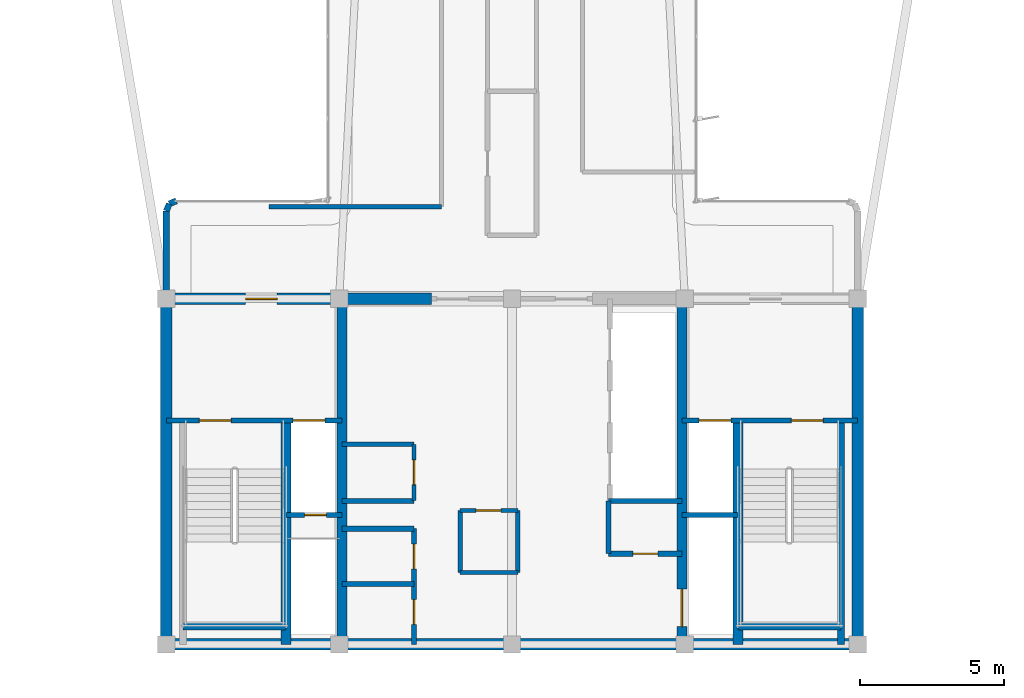
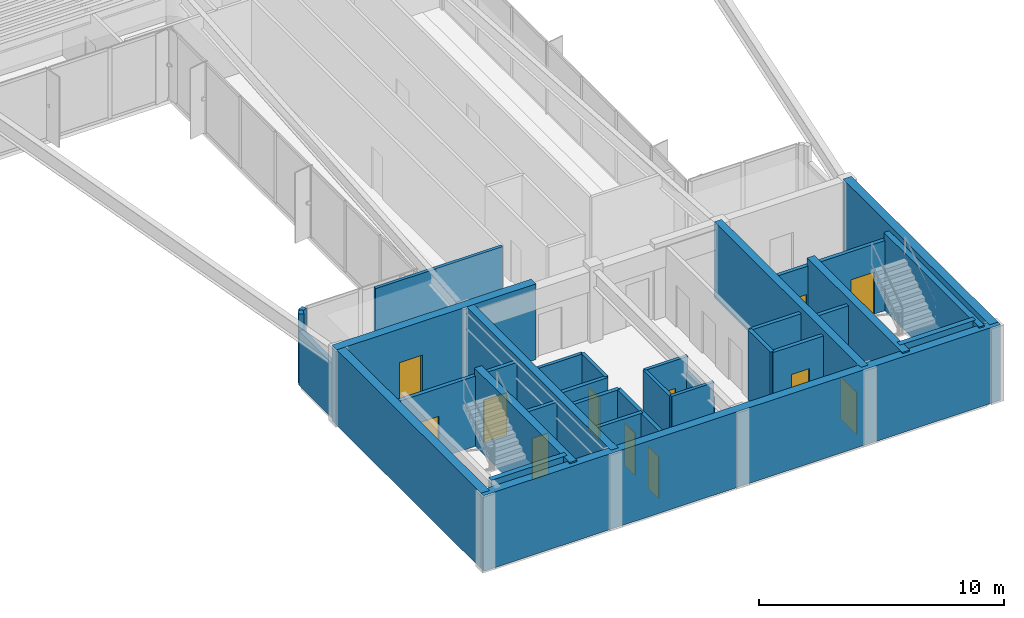
# One storey, part 10 of 15: 32 walls, 12 doors, 12 openings.
"""IFC4 building model written with IfcOpenShell, lengths in metres."""

import ifcopenshell
import ifcopenshell.guid

model = None  # the IFC model being written
_history = None  # IfcOwnerHistory: only IFC2X3 demands one
_inside = {}  # id of a spatial element -> (the spatial element, [elements in it])
_under = {}  # id of a project, library or spatial element -> (it, [spatial elements below it])
_declared = {}  # id of a project -> (the project, [libraries it declares])
_typed = {}  # id of a type object -> (the type object, [elements of that type])
_made_of = {}  # id of a material, layer set ... -> (it, [elements and type objects made of it])


def new_model(schema):
    """Start an empty IFC model of exactly this schema.

    Asked for "IFC4X3", IfcOpenShell would pick the latest addendum, in which some entities
    have other attributes; the version numbers below select the first issue.
    IFC2X3 requires an IfcOwnerHistory on every rooted entity: one is made here for all.
    """
    global model, _history
    if schema == "IFC4X3":
        model = ifcopenshell.file(schema_version=(4, 3, 0, 0))
    else:
        model = ifcopenshell.file(schema=schema)
    _inside.clear()
    _under.clear()
    _declared.clear()
    _typed.clear()
    _made_of.clear()
    _history = None
    if model.schema == "IFC2X3":
        org = make("IfcOrganization", Name="unknown")
        user = make(
            "IfcPersonAndOrganization",
            ThePerson=make("IfcPerson", FamilyName="unknown"),
            TheOrganization=org,
        )
        app = make(
            "IfcApplication",
            ApplicationDeveloper=org,
            Version="unknown",
            ApplicationFullName="unknown",
            ApplicationIdentifier="unknown",
        )
        _history = make(
            "IfcOwnerHistory",
            OwningUser=user,
            OwningApplication=app,
            ChangeAction="ADDED",
            CreationDate=0,
        )
    return model


def make(cls, **values):
    """One entity of the class cls with the attributes given. An attribute that is None is left unset."""
    return model.create_entity(
        cls, **{name: value for name, value in values.items() if value is not None}
    )


def rooted(cls, **values):
    """An entity with a GlobalId (a new one), such as an element, a storey or a relation."""
    return make(cls, GlobalId=ifcopenshell.guid.new(), OwnerHistory=_history, **values)


def si_unit(unit_type, name, prefix=None):
    """IfcSIUnit, for example si_unit("LENGTHUNIT", "METRE", prefix="MILLI")."""
    return make("IfcSIUnit", UnitType=unit_type, Prefix=prefix, Name=name)


def assignment(units):
    """IfcUnitAssignment: the units of a project."""
    return None if units is None else make("IfcUnitAssignment", Units=units)


def point(xyz):
    """IfcCartesianPoint."""
    return None if xyz is None else make("IfcCartesianPoint", Coordinates=xyz)


def direction(xyz):
    """IfcDirection."""
    return None if xyz is None else make("IfcDirection", DirectionRatios=xyz)


def frame(location, z_axis=None, x_axis=None):
    """IfcAxis2Placement3D, a coordinate frame: its origin and axes. An axis left out is left unset."""
    return make(
        "IfcAxis2Placement3D",
        Location=point(location),
        Axis=direction(z_axis),
        RefDirection=direction(x_axis),
    )


def frame_2d(location, x_axis=None):
    """IfcAxis2Placement2D, a coordinate frame in the plane: its origin and x axis."""
    return make(
        "IfcAxis2Placement2D", Location=point(location), RefDirection=direction(x_axis)
    )


def origin():
    """The frame at (0, 0, 0) with its axes left unset."""
    return frame((0.0, 0.0, 0.0))


def origin_2d():
    """The frame at (0, 0) in the plane with its x axis left unset."""
    return frame_2d((0.0, 0.0))


def place(relative_to, where):
    """IfcLocalPlacement: puts the frame where relative to a parent placement (None: the world)."""
    return make(
        "IfcLocalPlacement", PlacementRelTo=relative_to, RelativePlacement=where
    )


def context(
    kind, dimensions, precision=None, world=None, true_north=None, identifier=None
):
    """IfcGeometricRepresentationContext, for example the 3D "Model" context."""
    return make(
        "IfcGeometricRepresentationContext",
        ContextIdentifier=identifier,
        ContextType=kind,
        CoordinateSpaceDimension=dimensions,
        Precision=precision,
        WorldCoordinateSystem=world,
        TrueNorth=true_north,
    )


def subcontext(parent, identifier, kind, view, scale=None):
    """IfcGeometricRepresentationSubContext, for example "Body" below "Model"."""
    return make(
        "IfcGeometricRepresentationSubContext",
        ContextIdentifier=identifier,
        ContextType=kind,
        ParentContext=parent,
        TargetScale=scale,
        TargetView=view,
    )


def project(units=None, contexts=None):
    """IfcProject with its units and contexts."""
    return rooted(
        "IfcProject",
        Name="project",
        RepresentationContexts=contexts,
        UnitsInContext=assignment(units),
    )


def spatial(cls, under=None, at=None, **own):
    """A site, building, storey or space (cls), placed at a placement, below another one or the project."""
    s = rooted(cls, ObjectPlacement=at, **own)
    if under is not None:
        _under.setdefault(under.id(), (under, []))[1].append(s)
    return s


def profile(cls, at=None, kind="AREA", **sizes):
    """A parametric profile (cls). Its sizes go by their IFC names, for example OverallWidth=200.0."""
    return make(cls, ProfileType=kind, Position=at, **sizes)


def rectangle(**sizes):
    """IfcRectangleProfileDef."""
    return profile("IfcRectangleProfileDef", **sizes)


def extrude(swept, where, along, depth):
    """IfcExtrudedAreaSolid: the profile swept, set in the frame where, extruded along a direction by depth."""
    return make(
        "IfcExtrudedAreaSolid",
        SweptArea=swept,
        Position=where,
        ExtrudedDirection=direction(along),
        Depth=depth,
    )


def shape(context_of_items, identifier, shape_type, items):
    """IfcShapeRepresentation: the items that make up one representation, for example the "Body"."""
    return make(
        "IfcShapeRepresentation",
        ContextOfItems=context_of_items,
        RepresentationIdentifier=identifier,
        RepresentationType=shape_type,
        Items=items,
    )


def source(mapping_origin, context_of_items, identifier, shape_type, items):
    """IfcRepresentationMap: a shape defined once, which mapped items show again and again."""
    return make(
        "IfcRepresentationMap",
        MappingOrigin=mapping_origin,
        MappedRepresentation=shape(context_of_items, identifier, shape_type, items),
    )


def transform(
    local_origin,
    x_axis=None,
    y_axis=None,
    z_axis=None,
    scale=None,
    scale2=None,
    scale3=None,
    uniform=True,
):
    """IfcCartesianTransformationOperator3D, or its non-uniform kind. x_axis, y_axis, z_axis: its Axis1, 2, 3."""
    if uniform:
        return make(
            "IfcCartesianTransformationOperator3D",
            Axis1=direction(x_axis),
            Axis2=direction(y_axis),
            LocalOrigin=point(local_origin),
            Scale=scale,
            Axis3=direction(z_axis),
        )
    return make(
        "IfcCartesianTransformationOperator3DnonUniform",
        Axis1=direction(x_axis),
        Axis2=direction(y_axis),
        LocalOrigin=point(local_origin),
        Scale=scale,
        Axis3=direction(z_axis),
        Scale2=scale2,
        Scale3=scale3,
    )


def mapped(mapping_source, mapping_target):
    """IfcMappedItem: shows the shape of a source again, moved by a transform."""
    return make(
        "IfcMappedItem", MappingSource=mapping_source, MappingTarget=mapping_target
    )


def material(Name=None, Category=None):
    """IfcMaterial."""
    return make("IfcMaterial", Name=Name, Category=Category)


def layer(
    of_material, thickness, ventilated=None, Name=None, Category=None, Priority=None
):
    """IfcMaterialLayer: one layer of a wall or slab, of a material (None: an air gap)."""
    return make(
        "IfcMaterialLayer",
        Material=of_material,
        LayerThickness=thickness,
        IsVentilated=ventilated,
        Name=Name,
        Category=Category,
        Priority=Priority,
    )


def layer_set(layers, Name=None):
    """IfcMaterialLayerSet."""
    return make("IfcMaterialLayerSet", MaterialLayers=layers, LayerSetName=Name)


def made_of(thing, what):
    """Note that an element or type object is made of a material, layer set ...; save() writes the relation."""
    if what is not None:
        _made_of.setdefault(what.id(), (what, []))[1].append(thing)
    return thing


def type_object(cls, material=None, **own):
    """A type object (cls), such as IfcWallType, which elements share."""
    return made_of(rooted(cls, **own), material)


def element(
    cls,
    number,
    at=None,
    inside=None,
    cuts=None,
    type_object=None,
    material=None,
    context=None,
    identifier="Body",
    shape_type=None,
    held_by="IfcProductDefinitionShape",
    body=None,
    shapes=None,
    **own,
):
    """One element of the class cls, such as IfcWall. Its Tag is "e" and its number.

    at: its placement. inside: the storey or other place that contains it. cuts: it is an
    opening in that element (IfcRelVoidsElement). A single representation is given by context,
    identifier, shape_type and body (its items); several are given by shapes. held_by: the class
    of the entity that holds the representations. save() writes the other relations.
    """
    e = rooted(cls, Tag="e%d" % number, ObjectPlacement=at, **own)
    if body is not None:
        shapes = [shape(context, identifier, shape_type, body)]
    if shapes is not None:
        e.Representation = make(held_by, Representations=shapes)
    if inside is not None:
        _inside.setdefault(inside.id(), (inside, []))[1].append(e)
    if cuts is not None:
        rooted(
            "IfcRelVoidsElement", RelatingBuildingElement=cuts, RelatedOpeningElement=e
        )
    if type_object is not None:
        _typed.setdefault(type_object.id(), (type_object, []))[1].append(e)
    return made_of(e, material)


def fill(opening, filler):
    """IfcRelFillsElement: the door or window that sits in an opening."""
    return rooted(
        "IfcRelFillsElement",
        RelatingOpeningElement=opening,
        RelatedBuildingElement=filler,
    )


def aggregate(whole, parts):
    """IfcRelAggregates: a whole, such as a stair, and the parts it consists of."""
    return rooted("IfcRelAggregates", RelatingObject=whole, RelatedObjects=parts)


def save(model, path):
    """Write the relations noted so far, then the file.

    IfcRelAggregates (storeys below a building ...), IfcRelContainedInSpatialStructure (elements
    in a storey), IfcRelDefinesByType, IfcRelAssociatesMaterial and IfcRelDeclares: one each for
    every whole, place, type object, material and project.
    """
    for whole, parts in _under.values():
        aggregate(whole, parts)
    for where, things in _inside.values():
        rooted(
            "IfcRelContainedInSpatialStructure",
            RelatedElements=things,
            RelatingStructure=where,
        )
    for kind, things in _typed.values():
        rooted("IfcRelDefinesByType", RelatedObjects=things, RelatingType=kind)
    for what, things in _made_of.values():
        rooted("IfcRelAssociatesMaterial", RelatedObjects=things, RelatingMaterial=what)
    for by, libraries in _declared.values():
        rooted("IfcRelDeclares", RelatingContext=by, RelatedDefinitions=libraries)
    model.write(path)


model = new_model("IFC4")

# Units and contexts
model_context = context("Model", 3, precision=1e-05, world=origin(), true_north=direction((0.0, 1.0)))
body_context = subcontext(model_context, "Body", "Model", "MODEL_VIEW")
ifc_project = project(units=[si_unit("LENGTHUNIT", "METRE"), si_unit("AREAUNIT", "SQUARE_METRE"), si_unit("VOLUMEUNIT", "CUBIC_METRE"), si_unit("PLANEANGLEUNIT", "RADIAN"), si_unit("MASSUNIT", "GRAM", prefix="KILO")], contexts=[model_context])

# Site, building, storey
site_placement = place(None, origin())
site = spatial("IfcSite", under=ifc_project, at=site_placement, CompositionType="ELEMENT")
building_placement = place(site_placement, origin())
building = spatial("IfcBuilding", under=site, at=building_placement, Name="Brelvock Crest Care Tower", CompositionType="ELEMENT")
storey_placement = place(building_placement, frame((0.0, 0.0, 268.3798828125)))
storey = spatial("IfcBuildingStorey", under=building, at=storey_placement, Name="L68", CompositionType="ELEMENT", Elevation=268.3798828125)

# Walls
ifc_material_1 = material(Name="Concrete S65 (65 MPa)", Category="concrete")
ifc_layer_1 = layer(ifc_material_1, 0.39990234375, Name="WL-CS4")
ifc_layer_set_1 = layer_set([ifc_layer_1], Name="Concrete S65 (65 MPa)")
wall_type_1 = type_object("IfcWallType", Name="WL-CS4", PredefinedType="SHEAR", material=ifc_layer_set_1)
wall_1_placement = place(storey_placement, frame((48.199951171875, 6.0, 0.0), z_axis=(0.0, 0.0, 1.0), x_axis=(-1.0, 0.0, 0.0)))
element("IfcWall", 1, at=wall_1_placement, inside=storey, type_object=wall_type_1, Name="L68 Core South Shear Wall", PredefinedType="SHEAR", context=body_context, shape_type="SweptSolid", body=[
    extrude(rectangle(XDim=24.39990234375, YDim=0.39990234375, at=frame_2d((12.199951171875, 0.0))), origin(), (0.0, 0.0, 1.0), 3.780029296875),
])
for number, where, z_axis, x_axis, name in (
    (2, (24.0, 6.0, 0.0), (0.0, 0.0, 1.0), (0.0, 1.0, 0.0), "L68 Core West Shear Wall"),
    (3, (48.0, 18.0, 0.0), (0.0, 0.0, 1.0), (0.0, -1.0, 0.0), "L68 Core East Shear Wall"),
):
    element("IfcWall", number, at=place(storey_placement, frame(where, z_axis=z_axis, x_axis=x_axis)), inside=storey, type_object=wall_type_1, Name=name, PredefinedType="SHEAR", context=body_context, shape_type="SweptSolid", body=[
        extrude(rectangle(XDim=12.0, YDim=0.39990234375, at=frame_2d((6.0, 0.0))), origin(), (0.0, 0.0, 1.0), 3.780029296875),
    ])

# Wall, opening, door
wall_2_placement = place(storey_placement, frame((23.800048828125, 18.0, 0.0), z_axis=(0.0, 0.0, 1.0), x_axis=(1.0, 0.0, 0.0)))
wall_2 = element("IfcWall", 4, at=wall_2_placement, inside=storey, type_object=wall_type_1, Name="L68 Core North-West Shear Wall", PredefinedType="SHEAR", context=body_context, shape_type="SweptSolid", body=[
    extrude(rectangle(XDim=9.39990234375, YDim=0.39990234375, at=frame_2d((4.699951171875, 0.0))), origin(), (0.0, 0.0, 1.0), 3.780029296875),
])
opening_1_placement = place(wall_2_placement, frame((2.949951171875, 0.0, 0.0)))
opening_1 = element("IfcOpeningElement", 5, at=opening_1_placement, cuts=wall_2, Name="Opening FD-1", PredefinedType="OPENING", context=body_context, shape_type="SweptSolid", body=[
    extrude(rectangle(XDim=1.10009765625, YDim=2.10009765625, at=origin_2d()), frame((0.550048828125, 0.2099609375, 1.050048828125), z_axis=(0.0, -1.0, 0.0), x_axis=(1.0, 0.0, 0.0)), (0.0, 0.0, 1.0), 0.419921875),
])
ifc_material_2 = material(Name="Steel Grade 350", Category="steel")
door_type_1 = type_object("IfcDoorType", Name="DR-FFL1", OperationType="NOTDEFINED", PredefinedType="DOOR", material=ifc_material_2)
shared_shape_1 = source(origin(), body_context, "Body", "SweptSolid", [
    extrude(rectangle(XDim=1.10009765625, YDim=2.10009765625, at=origin_2d()), frame((0.550048828125, 0.02490234375, 1.050048828125), z_axis=(0.0, -1.0, 0.0), x_axis=(1.0, 0.0, 0.0)), (0.0, 0.0, 1.0), 0.050048828125),
])
door_1_placement = place(opening_1_placement, origin())
door_1 = element("IfcDoor", 6, at=door_1_placement, inside=storey, type_object=door_type_1, Name="L68 Firefighting Lobby FFL-1 Exit Door", OperationType="SINGLE_SWING_LEFT", OverallHeight=2.10009765625, OverallWidth=1.10009765625, PredefinedType="DOOR", context=body_context, shape_type="MappedRepresentation", body=[
    mapped(shared_shape_1, transform((0.0, 0.0, 0.0), x_axis=(1.0, 0.0, 0.0), y_axis=(0.0, 1.0, 0.0), z_axis=(0.0, 0.0, 1.0), scale=1.0)),
])
fill(opening_1, door_1)

# Wall
ifc_material_3 = material(Name="Concrete S80 (80 MPa)", Category="concrete")
ifc_layer_2 = layer(ifc_material_3, 0.35009765625, Name="WL-CS5")
ifc_layer_set_2 = layer_set([ifc_layer_2], Name="Concrete S80 (80 MPa)")
wall_type_2 = type_object("IfcWallType", Name="WL-CS5", PredefinedType="SHEAR", material=ifc_layer_set_2)
wall_3_placement = place(storey_placement, frame((30.10009765625, 6.0, 0.0), z_axis=(0.0, 0.0, 1.0), x_axis=(0.0, 1.0, 0.0)))
element("IfcWall", 7, at=wall_3_placement, inside=storey, type_object=wall_type_2, Name="L68 Core Internal Web Wall West", PredefinedType="SHEAR", context=body_context, shape_type="SweptSolid", body=[
    extrude(rectangle(XDim=12.0, YDim=0.35009765625, at=frame_2d((6.0, 0.0))), origin(), (0.0, 0.0, 1.0), 3.780029296875),
])

# Wall, opening, door
wall_4_placement = place(storey_placement, frame((41.89990234375, 18.0, 0.0), z_axis=(0.0, 0.0, 1.0), x_axis=(0.0, -1.0, 0.0)))
wall_4 = element("IfcWall", 8, at=wall_4_placement, inside=storey, type_object=wall_type_2, Name="L68 Core Internal Web Wall East", PredefinedType="SHEAR", context=body_context, shape_type="SweptSolid", body=[
    extrude(rectangle(XDim=12.0, YDim=0.35009765625, at=frame_2d((6.0, 0.0))), origin(), (0.0, 0.0, 1.0), 3.780029296875),
])
opening_2_placement = place(wall_4_placement, frame((10.080078125, 0.0, 0.0)))
opening_2 = element("IfcOpeningElement", 9, at=opening_2_placement, cuts=wall_4, Name="Opening LD-S", PredefinedType="OPENING", context=body_context, shape_type="SweptSolid", body=[
    extrude(rectangle(XDim=1.300048828125, YDim=2.10009765625, at=origin_2d()), frame((0.64990234375, 0.18505859375, 1.050048828125), z_axis=(0.0, -1.0, 0.0), x_axis=(1.0, 0.0, 0.0)), (0.0, 0.0, 1.0), 0.3701171875),
])
door_type_2 = type_object("IfcDoorType", Name="DR-LDS1", OperationType="NOTDEFINED", PredefinedType="DOOR", material=ifc_material_2)
shared_shape_2 = source(origin(), body_context, "Body", "SweptSolid", [
    extrude(rectangle(XDim=1.300048828125, YDim=2.10009765625, at=origin_2d()), frame((0.64990234375, 0.02490234375, 1.050048828125), z_axis=(0.0, -1.0, 0.0), x_axis=(1.0, 0.0, 0.0)), (0.0, 0.0, 1.0), 0.050048828125),
])
door_2_placement = place(opening_2_placement, origin())
door_2 = element("IfcDoor", 10, at=door_2_placement, inside=storey, type_object=door_type_2, Name="L68 Clinical Bed Lift SL-1 Landing Door", OperationType="SLIDING_TO_LEFT", OverallHeight=2.10009765625, OverallWidth=1.300048828125, PredefinedType="DOOR", context=body_context, shape_type="MappedRepresentation", body=[
    mapped(shared_shape_2, transform((0.0, 0.0, 0.0), x_axis=(1.0, 0.0, 0.0), y_axis=(0.0, 1.0, 0.0), z_axis=(0.0, 0.0, 1.0), scale=1.0)),
])
fill(opening_2, door_2)

# Walls
for number, where, z_axis, x_axis, name in (
    (11, (28.14990234375, 6.0, 0.0), (0.0, 0.0, 1.0), (0.0, 1.0, 0.0), "L68 Core Stair ST-1 East Shear Wall"),
    (12, (43.85009765625, 6.0, 0.0), (0.0, 0.0, 1.0), (0.0, 1.0, 0.0), "L68 Core Stair ST-2 West Shear Wall"),
):
    element("IfcWall", number, at=place(storey_placement, frame(where, z_axis=z_axis, x_axis=x_axis)), inside=storey, type_object=wall_type_2, Name=name, PredefinedType="SHEAR", context=body_context, shape_type="SweptSolid", body=[
        extrude(rectangle(XDim=7.780029296875, YDim=0.35009765625, at=frame_2d((3.89013671875, 0.0))), origin(), (0.0, 0.0, 1.0), 3.85009765625),
    ])
ifc_layer_3 = layer(ifc_material_3, 0.25, Name="WL-CS6")
ifc_layer_set_3 = layer_set([ifc_layer_3], Name="Concrete S80 (80 MPa)")
wall_type_3 = type_object("IfcWallType", Name="WL-CS6", PredefinedType="SHEAR", material=ifc_layer_set_3)
wall_5_placement = place(storey_placement, frame((24.580078125, 6.6201171875, 0.0), z_axis=(0.0, 0.0, 1.0), x_axis=(1.0, 0.0, 0.0)))
element("IfcWall", 13, at=wall_5_placement, inside=storey, type_object=wall_type_3, Name="L68 Core Stair ST-1 South Shear Wall", PredefinedType="SHEAR", context=body_context, shape_type="SweptSolid", body=[
    extrude(rectangle(XDim=3.56982421875, YDim=0.25, at=frame_2d((1.784912109375, 0.0))), origin(), (0.0, 0.0, 1.0), 3.85009765625),
])
wall_6_placement = place(storey_placement, frame((47.419921875, 6.0, 0.0), z_axis=(0.0, 0.0, 1.0), x_axis=(0.0, 1.0, 0.0)))
element("IfcWall", 14, at=wall_6_placement, inside=storey, type_object=wall_type_3, Name="L68 Core Stair ST-2 East Shear Wall", PredefinedType="SHEAR", context=body_context, shape_type="SweptSolid", body=[
    extrude(rectangle(XDim=7.780029296875, YDim=0.25, at=frame_2d((3.89013671875, 0.0))), origin(), (0.0, 0.0, 1.0), 3.85009765625),
])
wall_7_placement = place(storey_placement, frame((43.85009765625, 6.6201171875, 0.0), z_axis=(0.0, 0.0, 1.0), x_axis=(1.0, 0.0, 0.0)))
element("IfcWall", 15, at=wall_7_placement, inside=storey, type_object=wall_type_3, Name="L68 Core Stair ST-2 South Shear Wall", PredefinedType="SHEAR", context=body_context, shape_type="SweptSolid", body=[
    extrude(rectangle(XDim=3.56982421875, YDim=0.25, at=frame_2d((1.784912109375, 0.0))), origin(), (0.0, 0.0, 1.0), 3.85009765625),
])
ifc_material_4 = material(Name="Precast concrete N40 (40 MPa)", Category="concrete")
ifc_layer_4 = layer(ifc_material_4, 0.215087890625, Name="WL-EX2")
ifc_layer_set_4 = layer_set([ifc_layer_4], Name="Precast concrete N40 (40 MPa)")
wall_type_4 = type_object("IfcWallType", Name="WL-EX2", PredefinedType="SOLIDWALL", material=ifc_layer_set_4)
wall_8_placement = place(storey_placement, frame((24.0, 18.280029296875, 0.0), z_axis=(0.0, 0.0, 1.0), x_axis=(0.0, 1.0, 0.0)))
element("IfcWall", 16, at=wall_8_placement, inside=storey, type_object=wall_type_4, Name="L68 Rounded Corner Wall 07", PredefinedType="SOLIDWALL", context=body_context, shape_type="SweptSolid", body=[
    extrude(rectangle(XDim=2.77001953125, YDim=0.215087890625, at=frame_2d((1.385009765625, 0.0))), origin(), (0.0, 0.0, 1.0), 2.718017578125),
])
wall_9_placement = place(storey_placement, frame((24.0, 21.050048828125, 0.0), z_axis=(0.0, 0.0, 1.0), x_axis=(0.382673670509, 0.923883575944, 0.0)))
element("IfcWall", 17, at=wall_9_placement, inside=storey, type_object=wall_type_4, Name="L68 Rounded Corner Wall 08", PredefinedType="SOLIDWALL", context=body_context, shape_type="SweptSolid", body=[
    extrude(rectangle(XDim=0.26806640625, YDim=0.215087890625, at=frame_2d((0.134033203125, 0.0))), origin(), (0.0, 0.0, 1.0), 3.530029296875),
])
wall_10_placement = place(storey_placement, frame((24.1025390625, 21.297607421875, 0.0), z_axis=(0.0, 0.0, 1.0), x_axis=(0.924205486139, 0.381895560841, 0.0)))
element("IfcWall", 18, at=wall_10_placement, inside=storey, type_object=wall_type_4, Name="L68 Rounded Corner Wall 09", PredefinedType="SOLIDWALL", context=body_context, shape_type="SweptSolid", body=[
    extrude(rectangle(XDim=0.267822265625, YDim=0.215087890625, at=frame_2d((0.1337890625, 0.0))), origin(), (0.0, 0.0, 1.0), 3.530029296875),
])
ifc_material_5 = material(Name="Masonry Blockwork Acoustic Partition", Category="masonry")
ifc_layer_5 = layer(ifc_material_5, 0.14990234375, Name="WL-INT1")
ifc_layer_set_5 = layer_set([ifc_layer_5], Name="Masonry Blockwork Acoustic Partition")
wall_type_5 = type_object("IfcWallType", Name="WL-INT1", PredefinedType="PARTITIONING", material=ifc_layer_set_5)
wall_11_placement = place(storey_placement, frame((30.10009765625, 12.949951171875, 0.0), z_axis=(0.0, 0.0, 1.0), x_axis=(1.0, 0.0, 0.0)))
element("IfcWall", 19, at=wall_11_placement, inside=storey, type_object=wall_type_5, Name="L68 Interior Wall WL-CRCL-N2-L68", PredefinedType="PARTITIONING", context=body_context, shape_type="SweptSolid", body=[
    extrude(rectangle(XDim=2.5, YDim=0.14990234375, at=frame_2d((1.25, 0.0))), origin(), (0.0, 0.0, 1.0), 3.5),
])

# Wall, opening, door
wall_12_placement = place(storey_placement, frame((32.60009765625, 11.0, 0.0), z_axis=(0.0, 0.0, 1.0), x_axis=(0.0, 1.0, 0.0)))
wall_12 = element("IfcWall", 20, at=wall_12_placement, inside=storey, type_object=wall_type_5, Name="L68 Interior Wall WL-CRCL-E-L68", PredefinedType="PARTITIONING", context=body_context, shape_type="SweptSolid", body=[
    extrude(rectangle(XDim=1.949951171875, YDim=0.14990234375, at=frame_2d((0.97509765625, 0.0))), origin(), (0.0, 0.0, 1.0), 3.5),
])
opening_3_placement = place(wall_12_placement, frame((0.550048828125, 0.0, 0.0)))
opening_3 = element("IfcOpeningElement", 21, at=opening_3_placement, cuts=wall_12, Name="Opening ID-1", PredefinedType="OPENING", context=body_context, shape_type="SweptSolid", body=[
    extrude(rectangle(XDim=0.860107421875, YDim=2.10009765625, at=origin_2d()), frame((0.43017578125, 0.0849609375, 1.050048828125), z_axis=(0.0, -1.0, 0.0), x_axis=(1.0, 0.0, 0.0)), (0.0, 0.0, 1.0), 0.169921875),
])
ifc_material_6 = material(Name="Engineered Hardwood Timber", Category="wood")
door_type_3 = type_object("IfcDoorType", Name="DR-INT1", OperationType="NOTDEFINED", PredefinedType="DOOR", material=ifc_material_6)
shared_shape_3 = source(origin(), body_context, "Body", "SweptSolid", [
    extrude(rectangle(XDim=0.860107421875, YDim=2.10009765625, at=origin_2d()), frame((0.43017578125, 0.02490234375, 1.050048828125), z_axis=(0.0, -1.0, 0.0), x_axis=(1.0, 0.0, 0.0)), (0.0, 0.0, 1.0), 0.050048828125),
])
door_3_placement = place(opening_3_placement, origin())
door_3 = element("IfcDoor", 22, at=door_3_placement, inside=storey, type_object=door_type_3, Name="DR-CRCL1-L68", OperationType="SINGLE_SWING_LEFT", OverallHeight=2.10009765625, OverallWidth=0.860107421875, PredefinedType="DOOR", context=body_context, shape_type="MappedRepresentation", body=[
    mapped(shared_shape_3, transform((0.0, 0.0, 0.0), x_axis=(1.0, 0.0, 0.0), y_axis=(0.0, 1.0, 0.0), z_axis=(0.0, 0.0, 1.0), scale=1.0)),
])
fill(opening_3, door_3)

# Walls
wall_13_placement = place(storey_placement, frame((34.199951171875, 8.5, 0.0), z_axis=(0.0, 0.0, 1.0), x_axis=(1.0, 0.0, 0.0)))
element("IfcWall", 23, at=wall_13_placement, inside=storey, type_object=wall_type_5, Name="L68 Interior Wall WL-CRCM-S-L68", PredefinedType="PARTITIONING", context=body_context, shape_type="SweptSolid", body=[
    extrude(rectangle(XDim=2.0, YDim=0.14990234375, at=frame_2d((1.0, 0.0))), origin(), (0.0, 0.0, 1.0), 3.5),
])
wall_14_placement = place(storey_placement, frame((34.199951171875, 8.5, 0.0), z_axis=(0.0, 0.0, 1.0), x_axis=(0.0, 1.0, 0.0)))
element("IfcWall", 24, at=wall_14_placement, inside=storey, type_object=wall_type_5, Name="L68 Interior Wall WL-CRCM-W-L68", PredefinedType="PARTITIONING", context=body_context, shape_type="SweptSolid", body=[
    extrude(rectangle(XDim=2.14990234375, YDim=0.14990234375, at=frame_2d((1.074951171875, 0.0))), origin(), (0.0, 0.0, 1.0), 3.5),
])
wall_15_placement = place(storey_placement, frame((36.199951171875, 8.5, 0.0), z_axis=(0.0, 0.0, 1.0), x_axis=(0.0, 1.0, 0.0)))
element("IfcWall", 25, at=wall_15_placement, inside=storey, type_object=wall_type_5, Name="L68 Interior Wall WL-CRCM-E-L68", PredefinedType="PARTITIONING", context=body_context, shape_type="SweptSolid", body=[
    extrude(rectangle(XDim=2.14990234375, YDim=0.14990234375, at=frame_2d((1.074951171875, 0.0))), origin(), (0.0, 0.0, 1.0), 2.715087890625),
])

# Wall, opening, door
wall_16_placement = place(storey_placement, frame((34.199951171875, 10.64990234375, 0.0), z_axis=(0.0, 0.0, 1.0), x_axis=(1.0, 0.0, 0.0)))
wall_16 = element("IfcWall", 26, at=wall_16_placement, inside=storey, type_object=wall_type_5, Name="L68 Interior Wall WL-CRCM-N-L68", PredefinedType="PARTITIONING", context=body_context, shape_type="SweptSolid", body=[
    extrude(rectangle(XDim=2.0, YDim=0.14990234375, at=frame_2d((1.0, 0.0))), origin(), (0.0, 0.0, 1.0), 3.5),
])
opening_4_placement = place(wall_16_placement, frame((0.550048828125, 0.0, 0.0)))
opening_4 = element("IfcOpeningElement", 27, at=opening_4_placement, cuts=wall_16, Name="Opening ID-1", PredefinedType="OPENING", context=body_context, shape_type="SweptSolid", body=[
    extrude(rectangle(XDim=0.860107421875, YDim=2.10009765625, at=origin_2d()), frame((0.43017578125, 0.0849609375, 1.050048828125), z_axis=(0.0, -1.0, 0.0), x_axis=(1.0, 0.0, 0.0)), (0.0, 0.0, 1.0), 0.169921875),
])
door_4_placement = place(opening_4_placement, origin())
door_4 = element("IfcDoor", 28, at=door_4_placement, inside=storey, type_object=door_type_3, Name="DR-CRCM1-L68", OperationType="SINGLE_SWING_LEFT", OverallHeight=2.10009765625, OverallWidth=0.860107421875, PredefinedType="DOOR", context=body_context, shape_type="MappedRepresentation", body=[
    mapped(shared_shape_3, transform((0.0, 0.0, 0.0), x_axis=(1.0, 0.0, 0.0), y_axis=(0.0, 1.0, 0.0), z_axis=(0.0, 0.0, 1.0), scale=1.0)),
])
fill(opening_4, door_4)

# Walls
wall_17_placement = place(storey_placement, frame((27.5576171875, 21.199951171875, 0.0), z_axis=(0.0, 0.0, 1.0), x_axis=(1.0, 0.0, 0.0)))
element("IfcWall", 29, at=wall_17_placement, inside=storey, type_object=wall_type_5, Name="L68 Interior Wall WL-BX-L68-THRW-S", PredefinedType="PARTITIONING", context=body_context, shape_type="SweptSolid", body=[
    extrude(rectangle(XDim=5.992431640625, YDim=0.14990234375, at=frame_2d((2.99609375, 0.0))), origin(), (0.0, 0.0, 1.0), 3.5),
])
ifc_layer_6 = layer(ifc_material_5, 0.179931640625, Name="WL-SHF1")
ifc_layer_set_6 = layer_set([ifc_layer_6], Name="Masonry Blockwork Acoustic Partition")
wall_type_6 = type_object("IfcWallType", Name="WL-SHF1", PredefinedType="PARTITIONING", material=ifc_layer_set_6)
wall_18_placement = place(storey_placement, frame((30.10009765625, 10.97998046875, 0.0), z_axis=(0.0, 0.0, 1.0), x_axis=(1.0, 0.0, 0.0)))
element("IfcWall", 30, at=wall_18_placement, inside=storey, type_object=wall_type_6, Name="L68 Interior Wall WL-CSBW-N-L68", PredefinedType="PARTITIONING", context=body_context, shape_type="SweptSolid", body=[
    extrude(rectangle(XDim=2.5, YDim=0.179931640625, at=frame_2d((1.25, 0.0))), origin(), (0.0, 0.0, 1.0), 3.5),
])
wall_19_placement = place(storey_placement, frame((39.35009765625, 10.97998046875, 0.0), z_axis=(0.0, 0.0, 1.0), x_axis=(1.0, 0.0, 0.0)))
element("IfcWall", 31, at=wall_19_placement, inside=storey, type_object=wall_type_6, Name="L68 Interior Wall WL-CSBE-N-L68", PredefinedType="PARTITIONING", context=body_context, shape_type="SweptSolid", body=[
    extrude(rectangle(XDim=2.5498046875, YDim=0.179931640625, at=frame_2d((1.27490234375, 0.0))), origin(), (0.0, 0.0, 1.0), 3.5),
])
for number, where, z_axis, x_axis, name in (
    (32, (30.10009765625, 8.10009765625, 0.0), (0.0, 0.0, 1.0), (1.0, 0.0, 0.0), "L68 Interior Wall WL-CSBW-SP-L68"),
    (33, (30.10009765625, 10.02001953125, 0.0), (0.0, 0.0, 1.0), (1.0, 0.0, 0.0), "L68 Interior Wall WL-CSBW-N2-L68"),
):
    element("IfcWall", number, at=place(storey_placement, frame(where, z_axis=z_axis, x_axis=x_axis)), inside=storey, type_object=wall_type_6, Name=name, PredefinedType="PARTITIONING", context=body_context, shape_type="SweptSolid", body=[
        extrude(rectangle(XDim=2.5, YDim=0.179931640625, at=frame_2d((1.25, 0.0))), origin(), (0.0, 0.0, 1.0), 3.5),
    ])

# Wall, openings, doors
wall_20_placement = place(storey_placement, frame((32.60009765625, 6.0, 0.0), z_axis=(0.0, 0.0, 1.0), x_axis=(0.0, 1.0, 0.0)))
wall_20 = element("IfcWall", 34, at=wall_20_placement, inside=storey, type_object=wall_type_6, Name="L68 Interior Wall WL-CSBW-E-L68", PredefinedType="PARTITIONING", context=body_context, shape_type="SweptSolid", body=[
    extrude(rectangle(XDim=4.02001953125, YDim=0.179931640625, at=frame_2d((2.010009765625, 0.0))), origin(), (0.0, 0.0, 1.0), 3.5),
])
opening_5_placement = place(wall_20_placement, frame((0.699951171875, 0.0, 0.0)))
opening_5 = element("IfcOpeningElement", 35, at=opening_5_placement, cuts=wall_20, Name="Opening ID-1", PredefinedType="OPENING", context=body_context, shape_type="SweptSolid", body=[
    extrude(rectangle(XDim=0.860107421875, YDim=2.10009765625, at=origin_2d()), frame((0.43017578125, 0.10009765625, 1.050048828125), z_axis=(0.0, -1.0, 0.0), x_axis=(1.0, 0.0, 0.0)), (0.0, 0.0, 1.0), 0.199951171875),
])
opening_6_placement = place(wall_20_placement, frame((2.6201171875, 0.0, 0.0)))
opening_6 = element("IfcOpeningElement", 36, at=opening_6_placement, cuts=wall_20, Name="Opening ID-1", PredefinedType="OPENING", context=body_context, shape_type="SweptSolid", body=[
    extrude(rectangle(XDim=0.860107421875, YDim=2.10009765625, at=origin_2d()), frame((0.43017578125, 0.10009765625, 1.050048828125), z_axis=(0.0, -1.0, 0.0), x_axis=(1.0, 0.0, 0.0)), (0.0, 0.0, 1.0), 0.199951171875),
])
door_5_placement = place(opening_5_placement, origin())
door_5 = element("IfcDoor", 37, at=door_5_placement, inside=storey, type_object=door_type_3, Name="DR-CSBW1-L68", OperationType="SINGLE_SWING_LEFT", OverallHeight=2.10009765625, OverallWidth=0.860107421875, PredefinedType="DOOR", context=body_context, shape_type="MappedRepresentation", body=[
    mapped(shared_shape_3, transform((0.0, 0.0, 0.0), x_axis=(1.0, 0.0, 0.0), y_axis=(0.0, 1.0, 0.0), z_axis=(0.0, 0.0, 1.0), scale=1.0)),
])
fill(opening_5, door_5)
door_6_placement = place(opening_6_placement, origin())
door_6 = element("IfcDoor", 38, at=door_6_placement, inside=storey, type_object=door_type_3, Name="DR-CSBW2-L68", OperationType="SINGLE_SWING_RIGHT", OverallHeight=2.10009765625, OverallWidth=0.860107421875, PredefinedType="DOOR", context=body_context, shape_type="MappedRepresentation", body=[
    mapped(shared_shape_3, transform((0.0, 0.0, 0.0), x_axis=(1.0, 0.0, 0.0), y_axis=(0.0, 1.0, 0.0), z_axis=(0.0, 0.0, 1.0), scale=1.0)),
])
fill(opening_6, door_6)

# Wall
wall_21_placement = place(storey_placement, frame((39.35009765625, 9.14990234375, 0.0), z_axis=(0.0, 0.0, 1.0), x_axis=(0.0, 1.0, 0.0)))
element("IfcWall", 39, at=wall_21_placement, inside=storey, type_object=wall_type_6, Name="L68 Interior Wall WL-CSBE-W-L68", PredefinedType="PARTITIONING", context=body_context, shape_type="SweptSolid", body=[
    extrude(rectangle(XDim=1.830078125, YDim=0.179931640625, at=frame_2d((0.9150390625, 0.0))), origin(), (0.0, 0.0, 1.0), 3.5),
])

# Wall, opening, door
wall_22_placement = place(storey_placement, frame((39.35009765625, 9.14990234375, 0.0), z_axis=(0.0, 0.0, 1.0), x_axis=(1.0, 0.0, 0.0)))
wall_22 = element("IfcWall", 40, at=wall_22_placement, inside=storey, type_object=wall_type_6, Name="L68 Interior Wall WL-CSBE-S-L68", PredefinedType="PARTITIONING", context=body_context, shape_type="SweptSolid", body=[
    extrude(rectangle(XDim=2.5498046875, YDim=0.179931640625, at=frame_2d((1.27490234375, 0.0))), origin(), (0.0, 0.0, 1.0), 3.5),
])
opening_7_placement = place(wall_22_placement, frame((0.85009765625, 0.0, 0.0)))
opening_7 = element("IfcOpeningElement", 41, at=opening_7_placement, cuts=wall_22, Name="Opening ID-1", PredefinedType="OPENING", context=body_context, shape_type="SweptSolid", body=[
    extrude(rectangle(XDim=0.860107421875, YDim=2.10009765625, at=origin_2d()), frame((0.43017578125, 0.10009765625, 1.050048828125), z_axis=(0.0, -1.0, 0.0), x_axis=(1.0, 0.0, 0.0)), (0.0, 0.0, 1.0), 0.199951171875),
])
door_7_placement = place(opening_7_placement, origin())
door_7 = element("IfcDoor", 42, at=door_7_placement, inside=storey, type_object=door_type_3, Name="DR-CSBE-L68", OperationType="SINGLE_SWING_LEFT", OverallHeight=2.10009765625, OverallWidth=0.860107421875, PredefinedType="DOOR", context=body_context, shape_type="MappedRepresentation", body=[
    mapped(shared_shape_3, transform((0.0, 0.0, 0.0), x_axis=(1.0, 0.0, 0.0), y_axis=(0.0, 1.0, 0.0), z_axis=(0.0, 0.0, 1.0), scale=1.0)),
])
fill(opening_7, door_7)

# Wall, openings, doors
wall_23_placement = place(storey_placement, frame((24.0, 13.780029296875, 0.0), z_axis=(0.0, 0.0, 1.0), x_axis=(1.0, 0.0, 0.0)))
wall_23 = element("IfcWall", 43, at=wall_23_placement, inside=storey, type_object=wall_type_6, Name="L68 Interior Wall WL-ST1-N-L68", PredefinedType="PARTITIONING", context=body_context, shape_type="SweptSolid", body=[
    extrude(rectangle(XDim=6.10009765625, YDim=0.179931640625, at=frame_2d((3.050048828125, 0.0))), origin(), (0.0, 0.0, 1.0), 3.5),
])
opening_8_placement = place(wall_23_placement, frame((1.14990234375, 0.0, 0.0)))
opening_8 = element("IfcOpeningElement", 44, at=opening_8_placement, cuts=wall_23, Name="Opening SD-1", PredefinedType="OPENING", context=body_context, shape_type="SweptSolid", body=[
    extrude(rectangle(XDim=1.10009765625, YDim=2.10009765625, at=origin_2d()), frame((0.550048828125, 0.10009765625, 1.050048828125), z_axis=(0.0, -1.0, 0.0), x_axis=(1.0, 0.0, 0.0)), (0.0, 0.0, 1.0), 0.199951171875),
])
opening_9_placement = place(wall_23_placement, frame((4.39990234375, 0.0, 0.0)))
opening_9 = element("IfcOpeningElement", 45, at=opening_9_placement, cuts=wall_23, Name="Opening LD", PredefinedType="OPENING", context=body_context, shape_type="SweptSolid", body=[
    extrude(rectangle(XDim=1.10009765625, YDim=2.10009765625, at=origin_2d()), frame((0.550048828125, 0.10009765625, 1.050048828125), z_axis=(0.0, -1.0, 0.0), x_axis=(1.0, 0.0, 0.0)), (0.0, 0.0, 1.0), 0.199951171875),
])
door_type_4 = type_object("IfcDoorType", Name="DR-ST1", OperationType="NOTDEFINED", PredefinedType="DOOR", material=ifc_material_2)
shared_shape_4 = source(origin(), body_context, "Body", "SweptSolid", [
    extrude(rectangle(XDim=1.10009765625, YDim=2.10009765625, at=origin_2d()), frame((0.550048828125, 0.02490234375, 1.050048828125), z_axis=(0.0, -1.0, 0.0), x_axis=(1.0, 0.0, 0.0)), (0.0, 0.0, 1.0), 0.050048828125),
])
door_8_placement = place(opening_8_placement, origin())
door_8 = element("IfcDoor", 46, at=door_8_placement, inside=storey, type_object=door_type_4, Name="L68 Fire Stair ST-1 Door", OperationType="SINGLE_SWING_LEFT", OverallHeight=2.10009765625, OverallWidth=1.10009765625, PredefinedType="DOOR", context=body_context, shape_type="MappedRepresentation", body=[
    mapped(shared_shape_4, transform((0.0, 0.0, 0.0), x_axis=(1.0, 0.0, 0.0), y_axis=(0.0, 1.0, 0.0), z_axis=(0.0, 0.0, 1.0), scale=1.0)),
])
fill(opening_8, door_8)
door_type_5 = type_object("IfcDoorType", Name="DR-LD1", OperationType="NOTDEFINED", PredefinedType="DOOR", material=ifc_material_2)
shared_shape_5 = source(origin(), body_context, "Body", "SweptSolid", [
    extrude(rectangle(XDim=1.10009765625, YDim=2.10009765625, at=origin_2d()), frame((0.550048828125, 0.02490234375, 1.050048828125), z_axis=(0.0, -1.0, 0.0), x_axis=(1.0, 0.0, 0.0)), (0.0, 0.0, 1.0), 0.050048828125),
])
door_9_placement = place(opening_9_placement, origin())
door_9 = element("IfcDoor", 47, at=door_9_placement, inside=storey, type_object=door_type_5, Name="L68 Firefighting Lift FFL-1 Landing Door", OperationType="SLIDING_TO_LEFT", OverallHeight=2.10009765625, OverallWidth=1.10009765625, PredefinedType="DOOR", context=body_context, shape_type="MappedRepresentation", body=[
    mapped(shared_shape_5, transform((0.0, 0.0, 0.0), x_axis=(1.0, 0.0, 0.0), y_axis=(0.0, 1.0, 0.0), z_axis=(0.0, 0.0, 1.0), scale=1.0)),
])
fill(opening_9, door_9)

# Wall, opening, door
wall_24_placement = place(storey_placement, frame((28.14990234375, 10.5, 0.0), z_axis=(0.0, 0.0, 1.0), x_axis=(1.0, 0.0, 0.0)))
wall_24 = element("IfcWall", 48, at=wall_24_placement, inside=storey, type_object=wall_type_6, Name="L68 Interior Wall WL-FFH1-S-L68", PredefinedType="PARTITIONING", context=body_context, shape_type="SweptSolid", body=[
    extrude(rectangle(XDim=1.9501953125, YDim=0.179931640625, at=frame_2d((0.97509765625, 0.0))), origin(), (0.0, 0.0, 1.0), 3.5),
])
opening_10_placement = place(wall_24_placement, frame((0.64990234375, 0.0, 0.0)))
opening_10 = element("IfcOpeningElement", 49, at=opening_10_placement, cuts=wall_24, Name="Opening RD-1", PredefinedType="OPENING", context=body_context, shape_type="SweptSolid", body=[
    extrude(rectangle(XDim=0.760009765625, YDim=2.050048828125, at=origin_2d()), frame((0.3798828125, 0.10009765625, 1.02490234375), z_axis=(0.0, -1.0, 0.0), x_axis=(1.0, 0.0, 0.0)), (0.0, 0.0, 1.0), 0.199951171875),
])
door_type_6 = type_object("IfcDoorType", Name="DR-RIS1", OperationType="NOTDEFINED", PredefinedType="DOOR", material=ifc_material_2)
shared_shape_6 = source(origin(), body_context, "Body", "SweptSolid", [
    extrude(rectangle(XDim=0.760009765625, YDim=2.050048828125, at=origin_2d()), frame((0.3798828125, 0.02490234375, 1.02490234375), z_axis=(0.0, -1.0, 0.0), x_axis=(1.0, 0.0, 0.0)), (0.0, 0.0, 1.0), 0.050048828125),
])
door_10_placement = place(opening_10_placement, origin())
door_10 = element("IfcDoor", 50, at=door_10_placement, inside=storey, type_object=door_type_6, Name="L68 Wet Fire Riser Access Door", OperationType="SINGLE_SWING_LEFT", OverallHeight=2.050048828125, OverallWidth=0.760009765625, PredefinedType="DOOR", context=body_context, shape_type="MappedRepresentation", body=[
    mapped(shared_shape_6, transform((0.0, 0.0, 0.0), x_axis=(1.0, 0.0, 0.0), y_axis=(0.0, 1.0, 0.0), z_axis=(0.0, 0.0, 1.0), scale=1.0)),
])
fill(opening_10, door_10)

# Wall, openings, doors
wall_25_placement = place(storey_placement, frame((41.89990234375, 13.780029296875, 0.0), z_axis=(0.0, 0.0, 1.0), x_axis=(1.0, 0.0, 0.0)))
wall_25 = element("IfcWall", 51, at=wall_25_placement, inside=storey, type_object=wall_type_6, Name="L68 Interior Wall WL-ST2-N-L68", PredefinedType="PARTITIONING", context=body_context, shape_type="SweptSolid", body=[
    extrude(rectangle(XDim=6.10009765625, YDim=0.179931640625, at=frame_2d((3.050048828125, 0.0))), origin(), (0.0, 0.0, 1.0), 3.5),
])
opening_11_placement = place(wall_25_placement, frame((0.60009765625, 0.0, 0.0)))
opening_11 = element("IfcOpeningElement", 52, at=opening_11_placement, cuts=wall_25, Name="Opening LD", PredefinedType="OPENING", context=body_context, shape_type="SweptSolid", body=[
    extrude(rectangle(XDim=1.10009765625, YDim=2.10009765625, at=origin_2d()), frame((0.550048828125, 0.10009765625, 1.050048828125), z_axis=(0.0, -1.0, 0.0), x_axis=(1.0, 0.0, 0.0)), (0.0, 0.0, 1.0), 0.199951171875),
])
opening_12_placement = place(wall_25_placement, frame((3.800048828125, 0.0, 0.0)))
opening_12 = element("IfcOpeningElement", 53, at=opening_12_placement, cuts=wall_25, Name="Opening SD-1", PredefinedType="OPENING", context=body_context, shape_type="SweptSolid", body=[
    extrude(rectangle(XDim=1.10009765625, YDim=2.10009765625, at=origin_2d()), frame((0.550048828125, 0.10009765625, 1.050048828125), z_axis=(0.0, -1.0, 0.0), x_axis=(1.0, 0.0, 0.0)), (0.0, 0.0, 1.0), 0.199951171875),
])
door_11_placement = place(opening_12_placement, origin())
door_11 = element("IfcDoor", 54, at=door_11_placement, inside=storey, type_object=door_type_4, Name="L68 Fire Stair ST-2 Door", OperationType="SINGLE_SWING_RIGHT", OverallHeight=2.10009765625, OverallWidth=1.10009765625, PredefinedType="DOOR", context=body_context, shape_type="MappedRepresentation", body=[
    mapped(shared_shape_4, transform((0.0, 0.0, 0.0), x_axis=(1.0, 0.0, 0.0), y_axis=(0.0, 1.0, 0.0), z_axis=(0.0, 0.0, 1.0), scale=1.0)),
])
fill(opening_12, door_11)
door_12_placement = place(opening_11_placement, origin())
door_12 = element("IfcDoor", 55, at=door_12_placement, inside=storey, type_object=door_type_5, Name="L68 Firefighting Lift FFL-2 Landing Door", OperationType="SLIDING_TO_RIGHT", OverallHeight=2.10009765625, OverallWidth=1.10009765625, PredefinedType="DOOR", context=body_context, shape_type="MappedRepresentation", body=[
    mapped(shared_shape_5, transform((0.0, 0.0, 0.0), x_axis=(1.0, 0.0, 0.0), y_axis=(0.0, 1.0, 0.0), z_axis=(0.0, 0.0, 1.0), scale=1.0)),
])
fill(opening_11, door_12)

# Wall
wall_26_placement = place(storey_placement, frame((41.89990234375, 10.5, 0.0), z_axis=(0.0, 0.0, 1.0), x_axis=(1.0, 0.0, 0.0)))
element("IfcWall", 56, at=wall_26_placement, inside=storey, type_object=wall_type_6, Name="L68 Interior Wall WL-FFH2-S-L68", PredefinedType="PARTITIONING", context=body_context, shape_type="SweptSolid", body=[
    extrude(rectangle(XDim=1.9501953125, YDim=0.179931640625, at=frame_2d((0.97509765625, 0.0))), origin(), (0.0, 0.0, 1.0), 3.5),
])

save(model, "model.ifc")
